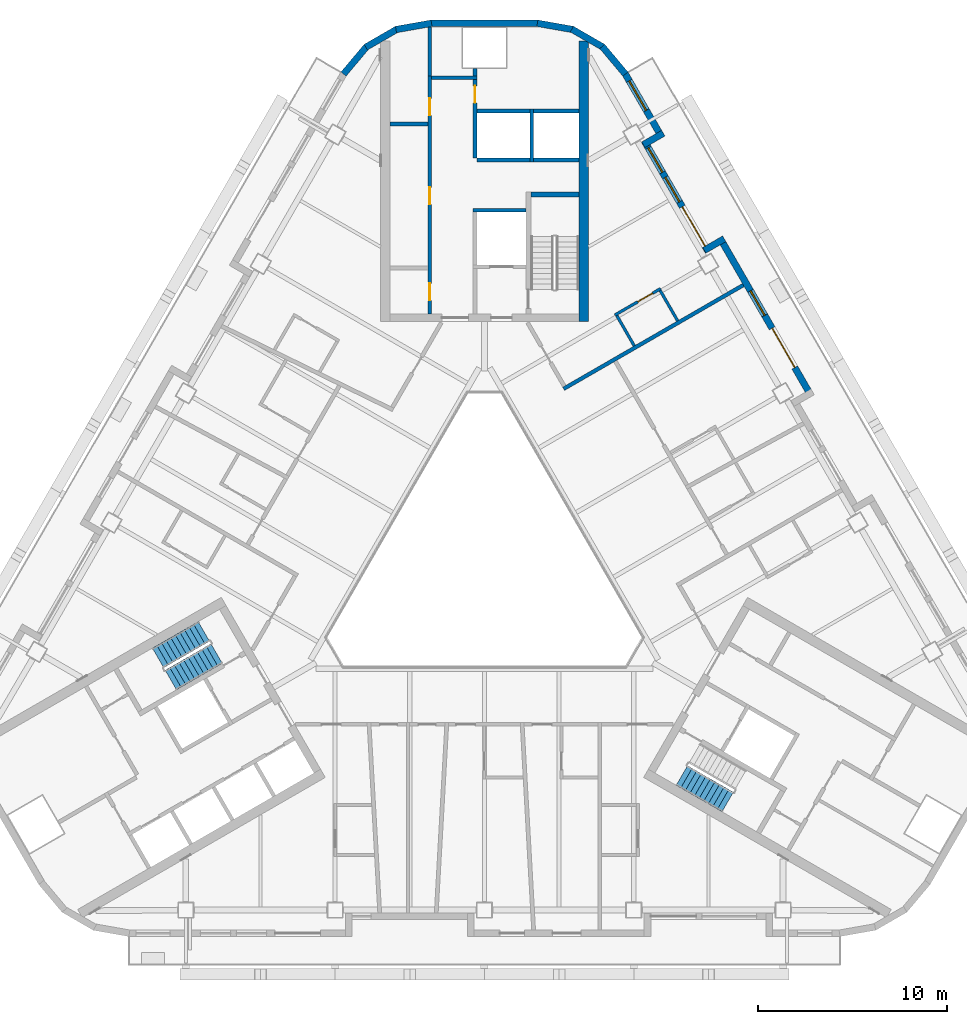
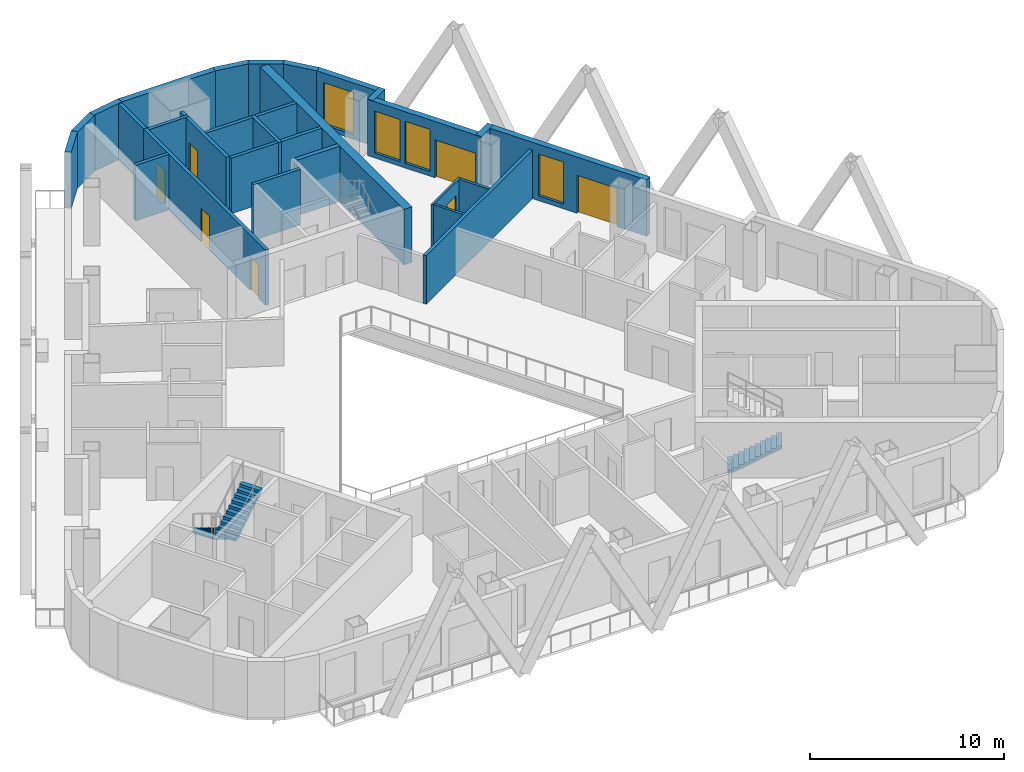
# One storey, part 10 of 17: 30 walls, 7 doors, 4 windows, 3 stair flights, 11 openings, 2 elements without a shape of their own.
"""IFC4 building model written with IfcOpenShell, lengths in metres."""

from ifc_helpers import new_model, si_unit, direction, frame, frame_2d, origin, place, context, subcontext, project, spatial, polyline, rectangle, outline, extrude, material, layer, layer_set, type_object, element, fill, aggregate, save


model = new_model("IFC4")

# Units and contexts
model_context = context("Model", 3, precision=1e-05, world=origin(), true_north=direction((0.0, 1.0)))
body_context = subcontext(model_context, "Body", "Model", "MODEL_VIEW")
ifc_project = project(units=[si_unit("LENGTHUNIT", "METRE"), si_unit("AREAUNIT", "SQUARE_METRE"), si_unit("VOLUMEUNIT", "CUBIC_METRE"), si_unit("PLANEANGLEUNIT", "RADIAN"), si_unit("MASSUNIT", "GRAM", prefix="KILO")], contexts=[model_context])

# Site, building, storey
site_placement = place(None, origin())
site = spatial("IfcSite", under=ifc_project, at=site_placement, CompositionType="ELEMENT")
building_placement = place(site_placement, origin())
building = spatial("IfcBuilding", under=site, at=building_placement, Name="Apuvela Tower Hotel", CompositionType="ELEMENT")
storey_placement = place(building_placement, frame((0.0, 0.0, 146.60009765625)))
storey = spatial("IfcBuildingStorey", under=building, at=storey_placement, Name="L34", CompositionType="ELEMENT", Elevation=146.60009765625)

# Walls
ifc_material_1 = material(Name="Concrete C50/60", Category="concrete")
ifc_layer_1 = layer(ifc_material_1, 0.5)
ifc_layer_set_1 = layer_set([ifc_layer_1], Name="COR-WALL-CORE-500")
wall_type_1 = type_object("IfcWallType", Name="COR-WALL-CORE-500", PredefinedType="SHEAR", material=ifc_layer_set_1)
wall_1_placement = place(storey_placement, frame((5.25, 12.89990234375, 0.0), z_axis=(0.0, 0.0, 1.0), x_axis=(0.0, 1.0, 0.0)))
element("IfcWall", 1, at=wall_1_placement, inside=storey, type_object=wall_type_1, Name="Core wall N", PredefinedType="SHEAR", context=body_context, shape_type="SweptSolid", body=[
    extrude(rectangle(XDim=14.8369140625, YDim=0.5, at=frame_2d((7.41845703125, 0.0))), origin(), (0.0, 0.0, 1.0), 3.5),
])
ifc_material_2 = material(Name="Blockwork 200 mm plastered", Category="masonry")
ifc_layer_2 = layer(ifc_material_2, 0.199951171875)
ifc_layer_set_2 = layer_set([ifc_layer_2], Name="COR-WALL-PART-200")
wall_type_2 = type_object("IfcWallType", Name="COR-WALL-PART-200", PredefinedType="PARTITIONING", material=ifc_layer_set_2)
wall_2_placement = place(storey_placement, frame((5.0, 21.449951171875, 0.0), z_axis=(0.0, 0.0, 1.0), x_axis=(-1.0, 0.0, 0.0)))
element("IfcWall", 2, at=wall_2_placement, inside=storey, type_object=wall_type_2, Name="Partition N", PredefinedType="PARTITIONING", context=body_context, shape_type="SweptSolid", body=[
    extrude(rectangle(XDim=2.39990234375, YDim=0.199951171875, at=frame_2d((1.199951171875, 0.0))), origin(), (0.0, 0.0, 1.0), 3.5),
])
wall_3_placement = place(storey_placement, frame((2.39990234375, 21.449951171875, 0.0), z_axis=(0.0, 0.0, 1.0), x_axis=(-1.0, 0.0, 0.0)))
element("IfcWall", 3, at=wall_3_placement, inside=storey, type_object=wall_type_2, Name="Partition N", PredefinedType="PARTITIONING", context=body_context, shape_type="SweptSolid", body=[
    extrude(rectangle(XDim=2.7998046875, YDim=0.199951171875, at=frame_2d((1.39990234375, 0.0))), origin(), (0.0, 0.0, 1.0), 3.5),
])
ifc_layer_3 = layer(ifc_material_1, 0.199951171875)
ifc_layer_set_3 = layer_set([ifc_layer_3], Name="COR-WALL-SHAFT-200")
wall_type_3 = type_object("IfcWallType", Name="COR-WALL-SHAFT-200", PredefinedType="SHEAR", material=ifc_layer_set_3)
wall_4_placement = place(storey_placement, frame((2.199951171875, 18.800048828125, 0.0), z_axis=(0.0, 0.0, 1.0), x_axis=(-1.0, 0.0, 0.0)))
element("IfcWall", 4, at=wall_4_placement, inside=storey, type_object=wall_type_3, Name="Shaft wall N", PredefinedType="SHEAR", context=body_context, shape_type="SweptSolid", body=[
    extrude(rectangle(XDim=2.800048828125, YDim=0.199951171875, at=frame_2d((1.39990234375, 0.0))), origin(), (0.0, 0.0, 1.0), 3.5),
])

# Wall, openings, doors
wall_5_placement = place(storey_placement, frame((-2.89990234375, 13.300048828125, 0.0), z_axis=(0.0, 0.0, 1.0), x_axis=(0.0, 1.0, 0.0)))
wall_5 = element("IfcWall", 5, at=wall_5_placement, inside=storey, type_object=wall_type_3, Name="Shaft wall N", PredefinedType="SHEAR", context=body_context, shape_type="SweptSolid", body=[
    extrude(rectangle(XDim=12.599853515625, YDim=0.199951171875, at=frame_2d((6.2998046875, 0.0))), origin(), (0.0, 0.0, 1.0), 3.5),
])
opening_1_placement = place(wall_5_placement, frame((0.719970703125, 0.0, 0.0)))
opening_1 = element("IfcOpeningElement", 6, at=opening_1_placement, cuts=wall_5, Name="Opening N-RE1", PredefinedType="OPENING", context=body_context, shape_type="SweptSolid", body=[
    extrude(rectangle(XDim=0.89990234375, YDim=2.10009765625, at=frame_2d((0.449951171875, 1.050048828125))), frame((0.0, 0.10986328125, 0.0), z_axis=(0.0, -1.0, 0.0), x_axis=(1.0, 0.0, 0.0)), (0.0, 0.0, 1.0), 0.219970703125),
])
opening_2_placement = place(wall_5_placement, frame((5.800048828125, 0.0, 0.0)))
opening_2 = element("IfcOpeningElement", 7, at=opening_2_placement, cuts=wall_5, Name="Opening N-RE2", PredefinedType="OPENING", context=body_context, shape_type="SweptSolid", body=[
    extrude(rectangle(XDim=0.89990234375, YDim=2.10009765625, at=frame_2d((0.449951171875, 1.050048828125))), frame((0.0, 0.10986328125, 0.0), z_axis=(0.0, -1.0, 0.0), x_axis=(1.0, 0.0, 0.0)), (0.0, 0.0, 1.0), 0.219970703125),
])
opening_3_placement = place(wall_5_placement, frame((10.510009765625, 0.0, 0.0)))
opening_3 = element("IfcOpeningElement", 8, at=opening_3_placement, cuts=wall_5, Name="Opening N-REP", PredefinedType="OPENING", context=body_context, shape_type="SweptSolid", body=[
    extrude(rectangle(XDim=0.89990234375, YDim=2.10009765625, at=frame_2d((0.449951171875, 1.050048828125))), frame((0.0, 0.10986328125, 0.0), z_axis=(0.0, -1.0, 0.0), x_axis=(1.0, 0.0, 0.0)), (0.0, 0.0, 1.0), 0.219970703125),
])
ifc_material_3 = material(Name="Steel fire door, powder coated", Category="steel")
door_type_1 = type_object("IfcDoorType", Name="COR-DR-900", OperationType="NOTDEFINED", PredefinedType="DOOR", material=ifc_material_3)
door_1_placement = place(opening_1_placement, origin())
door_1 = element("IfcDoor", 9, at=door_1_placement, inside=storey, type_object=door_type_1, Name="Store door N-RE1", OperationType="SINGLE_SWING_LEFT", OverallHeight=2.10009765625, OverallWidth=0.89990234375, PredefinedType="DOOR", context=body_context, shape_type="SweptSolid", body=[
    extrude(rectangle(XDim=0.89990234375, YDim=2.10009765625, at=frame_2d((0.449951171875, 1.050048828125))), frame((0.0, 0.02490234375, 0.0), z_axis=(0.0, -1.0, 0.0), x_axis=(1.0, 0.0, 0.0)), (0.0, 0.0, 1.0), 0.050048828125),
])
fill(opening_1, door_1)
door_2_placement = place(opening_2_placement, origin())
door_2 = element("IfcDoor", 10, at=door_2_placement, inside=storey, type_object=door_type_1, Name="Store door N-RE2", OperationType="SINGLE_SWING_RIGHT", OverallHeight=2.10009765625, OverallWidth=0.89990234375, PredefinedType="DOOR", context=body_context, shape_type="SweptSolid", body=[
    extrude(rectangle(XDim=0.89990234375, YDim=2.10009765625, at=frame_2d((0.449951171875, 1.050048828125))), frame((0.0, 0.02490234375, 0.0), z_axis=(0.0, -1.0, 0.0), x_axis=(1.0, 0.0, 0.0)), (0.0, 0.0, 1.0), 0.050048828125),
])
fill(opening_2, door_2)
door_3_placement = place(opening_3_placement, origin())
door_3 = element("IfcDoor", 11, at=door_3_placement, inside=storey, type_object=door_type_1, Name="Store door N-REP", OperationType="SINGLE_SWING_RIGHT", OverallHeight=2.10009765625, OverallWidth=0.89990234375, PredefinedType="DOOR", context=body_context, shape_type="SweptSolid", body=[
    extrude(rectangle(XDim=0.89990234375, YDim=2.10009765625, at=frame_2d((0.449951171875, 1.050048828125))), frame((0.0, 0.02490234375, 0.0), z_axis=(0.0, -1.0, 0.0), x_axis=(1.0, 0.0, 0.0)), (0.0, 0.0, 1.0), 0.050048828125),
])
fill(opening_3, door_3)

# Wall
wall_6_placement = place(storey_placement, frame((-0.39990234375, 25.800048828125, 0.0), z_axis=(0.0, 0.0, 1.0), x_axis=(-1.0, 0.0, 0.0)))
element("IfcWall", 12, at=wall_6_placement, inside=storey, type_object=wall_type_3, Name="Shaft wall N", PredefinedType="SHEAR", context=body_context, shape_type="SweptSolid", body=[
    extrude(rectangle(XDim=2.400146484375, YDim=0.199951171875, at=frame_2d((1.2001953125, 0.0))), origin(), (0.0, 0.0, 1.0), 3.5),
])

# Wall, opening, door
wall_7_placement = place(storey_placement, frame((-0.5, 21.550048828125, 0.0), z_axis=(0.0, 0.0, 1.0), x_axis=(0.0, 1.0, 0.0)))
wall_7 = element("IfcWall", 13, at=wall_7_placement, inside=storey, type_object=wall_type_3, Name="Shaft wall N", PredefinedType="SHEAR", context=body_context, shape_type="SweptSolid", body=[
    extrude(rectangle(XDim=4.14990234375, YDim=0.199951171875, at=frame_2d((2.074951171875, 0.0))), origin(), (0.0, 0.0, 1.0), 3.5),
])
opening_4_placement = place(wall_7_placement, frame((2.925048828125, 0.0, 0.0)))
opening_4 = element("IfcOpeningElement", 14, at=opening_4_placement, cuts=wall_7, Name="Opening N-RSP", PredefinedType="OPENING", context=body_context, shape_type="SweptSolid", body=[
    extrude(rectangle(XDim=0.89990234375, YDim=2.10009765625, at=frame_2d((0.449951171875, 1.050048828125))), frame((0.0, 0.10986328125, 0.0), z_axis=(0.0, -1.0, 0.0), x_axis=(1.0, 0.0, 0.0)), (0.0, 0.0, 1.0), 0.219970703125),
])
door_4_placement = place(opening_4_placement, frame((0.89990234375, 0.0, 0.0), z_axis=(0.0, 0.0, 1.0), x_axis=(-1.0, 0.0, 0.0)))
door_4 = element("IfcDoor", 15, at=door_4_placement, inside=storey, type_object=door_type_1, Name="Store door N-RSP", OperationType="SINGLE_SWING_LEFT", OverallHeight=2.10009765625, OverallWidth=0.89990234375, PredefinedType="DOOR", context=body_context, shape_type="SweptSolid", body=[
    extrude(rectangle(XDim=0.89990234375, YDim=2.10009765625, at=frame_2d((0.449951171875, 1.050048828125))), frame((0.0, 0.02490234375, 0.0), z_axis=(0.0, -1.0, 0.0), x_axis=(1.0, 0.0, 0.0)), (0.0, 0.0, 1.0), 0.050048828125),
])
fill(opening_4, door_4)

# Walls
wall_8_placement = place(storey_placement, frame((-3.0, 23.360107421875, 0.0), z_axis=(0.0, 0.0, 1.0), x_axis=(-1.0, 0.0, 0.0)))
element("IfcWall", 16, at=wall_8_placement, inside=storey, type_object=wall_type_3, Name="Shaft wall N", PredefinedType="SHEAR", context=body_context, shape_type="SweptSolid", body=[
    extrude(rectangle(XDim=2.0, YDim=0.199951171875, at=frame_2d((1.0, 0.0))), origin(), (0.0, 0.0, 1.0), 3.5),
])
wall_9_placement = place(storey_placement, frame((-0.5, 25.89990234375, 0.0), z_axis=(0.0, 0.0, 1.0), x_axis=(0.0, 1.0, 0.0)))
element("IfcWall", 17, at=wall_9_placement, inside=storey, type_object=wall_type_3, Name="Shaft wall N", PredefinedType="SHEAR", context=body_context, shape_type="SweptSolid", body=[
    extrude(rectangle(XDim=0.400146484375, YDim=0.199951171875, at=frame_2d((0.2001953125, 0.0))), origin(), (0.0, 0.0, 1.0), 3.5),
])
wall_10_placement = place(storey_placement, frame((-2.89990234375, 25.89990234375, 0.0), z_axis=(0.0, 0.0, 1.0), x_axis=(0.0, 1.0, 0.0)))
element("IfcWall", 18, at=wall_10_placement, inside=storey, type_object=wall_type_3, Name="Shaft wall N", PredefinedType="SHEAR", context=body_context, shape_type="SweptSolid", body=[
    extrude(rectangle(XDim=2.60009765625, YDim=0.199951171875, at=frame_2d((1.300048828125, 0.0))), origin(), (0.0, 0.0, 1.0), 3.5),
])
wall_11_placement = place(storey_placement, frame((2.5, 21.35009765625, 0.0), z_axis=(0.0, 0.0, 1.0), x_axis=(0.0, 1.0, 0.0)))
element("IfcWall", 19, at=wall_11_placement, inside=storey, type_object=wall_type_3, Name="Shaft wall N", PredefinedType="SHEAR", context=body_context, shape_type="SweptSolid", body=[
    extrude(rectangle(XDim=2.7998046875, YDim=0.199951171875, at=frame_2d((1.39990234375, 0.0))), origin(), (0.0, 0.0, 1.0), 3.5),
])
wall_12_placement = place(storey_placement, frame((5.0, 24.050048828125, 0.0), z_axis=(0.0, 0.0, 1.0), x_axis=(-1.0, 0.0, 0.0)))
element("IfcWall", 20, at=wall_12_placement, inside=storey, type_object=wall_type_3, Name="Shaft wall N", PredefinedType="SHEAR", context=body_context, shape_type="SweptSolid", body=[
    extrude(rectangle(XDim=2.39990234375, YDim=0.199951171875, at=frame_2d((1.199951171875, 0.0))), origin(), (0.0, 0.0, 1.0), 3.5),
])
wall_13_placement = place(storey_placement, frame((2.39990234375, 24.050048828125, 0.0), z_axis=(0.0, 0.0, 1.0), x_axis=(-1.0, 0.0, 0.0)))
element("IfcWall", 21, at=wall_13_placement, inside=storey, type_object=wall_type_3, Name="Shaft wall N", PredefinedType="SHEAR", context=body_context, shape_type="SweptSolid", body=[
    extrude(rectangle(XDim=2.7998046875, YDim=0.199951171875, at=frame_2d((1.39990234375, 0.0))), origin(), (0.0, 0.0, 1.0), 3.5),
])
ifc_layer_4 = layer(ifc_material_1, 0.25)
ifc_layer_set_4 = layer_set([ifc_layer_4], Name="COR-WALL-STAIR-250")
wall_type_4 = type_object("IfcWallType", Name="COR-WALL-STAIR-250", PredefinedType="SHEAR", material=ifc_layer_set_4)
wall_14_placement = place(storey_placement, frame((5.0, 19.625, 0.0), z_axis=(0.0, 0.0, 1.0), x_axis=(-1.0, 0.0, 0.0)))
element("IfcWall", 22, at=wall_14_placement, inside=storey, type_object=wall_type_4, Name="Stair wall N", PredefinedType="SHEAR", context=body_context, shape_type="SweptSolid", body=[
    extrude(rectangle(XDim=2.550048828125, YDim=0.25, at=frame_2d((1.27490234375, 0.0))), origin(), (0.0, 0.0, 1.0), 3.5),
])

# Wall, openings, door, window
ifc_material_4 = material(Name="Concrete C40/50, dark pigmented precast panel", Category="concrete")
ifc_layer_5 = layer(ifc_material_4, 0.35009765625)
ifc_layer_set_5 = layer_set([ifc_layer_5], Name="ENV-WALL-350")
wall_type_5 = type_object("IfcWallType", Name="ENV-WALL-350", PredefinedType="SOLIDWALL", material=ifc_layer_set_5)
wall_15_placement = place(storey_placement, frame((17.298583984375, 8.947998046875, 0.0), z_axis=(0.0, 0.0, 1.0), x_axis=(-0.500010041276, 0.866019606374, 0.0)))
wall_15 = element("IfcWall", 23, at=wall_15_placement, inside=storey, type_object=wall_type_5, Name="External wall L34-37", PredefinedType="SOLIDWALL", context=body_context, shape_type="SweptSolid", body=[
    extrude(rectangle(XDim=9.699951171875, YDim=0.35009765625, at=frame_2d((4.85009765625, 0.0))), origin(), (0.0, 0.0, 1.0), 3.5498046875),
])
opening_5_placement = place(wall_15_placement, frame((1.761962890625, 0.0, 0.0)))
opening_5 = element("IfcOpeningElement", 24, at=opening_5_placement, cuts=wall_15, Name="Opening BD24", PredefinedType="OPENING", context=body_context, shape_type="SweptSolid", body=[
    extrude(rectangle(XDim=2.39990234375, YDim=2.39990234375, at=frame_2d((1.199951171875, 1.199951171875))), frame((0.0, 0.18505859375, 0.0), z_axis=(0.0, -1.0, 0.0), x_axis=(1.0, 0.0, 0.0)), (0.0, 0.0, 1.0), 0.3701171875),
])
opening_6_placement = place(wall_15_placement, frame((4.94921875, 0.0, 0.300048828125)))
opening_6 = element("IfcOpeningElement", 25, at=opening_6_placement, cuts=wall_15, Name="Opening WN15", PredefinedType="OPENING", context=body_context, shape_type="SweptSolid", body=[
    extrude(rectangle(XDim=1.5, YDim=2.64990234375, at=frame_2d((0.75, 1.324951171875))), frame((0.0, 0.18505859375, 0.0), z_axis=(0.0, -1.0, 0.0), x_axis=(1.0, 0.0, 0.0)), (0.0, 0.0, 1.0), 0.3701171875),
])
ifc_material_5 = material(Name="Aluminium 6063-T6, dark bronze anodised frame with dark tinted laminated glass", Category="aluminium")
door_type_2 = type_object("IfcDoorType", Name="ENV-DOOR-BALCONY-2400x2400", OperationType="SLIDING_TO_LEFT", PredefinedType="DOOR", material=ifc_material_5)
door_5_placement = place(opening_5_placement, frame((2.39990234375, 0.0, 0.0), z_axis=(0.0, 0.0, 1.0), x_axis=(-1.0, 0.0, 0.0)))
door_5 = element("IfcDoor", 26, at=door_5_placement, inside=storey, type_object=door_type_2, Name="Balcony door BD24", OperationType="SLIDING_TO_LEFT", OverallHeight=2.39990234375, OverallWidth=2.39990234375, PredefinedType="DOOR", context=body_context, shape_type="SweptSolid", body=[
    extrude(rectangle(XDim=2.39990234375, YDim=2.39990234375, at=frame_2d((1.199951171875, 1.199951171875))), frame((0.0, 0.02490234375, 0.0), z_axis=(0.0, -1.0, 0.0), x_axis=(1.0, 0.0, 0.0)), (0.0, 0.0, 1.0), 0.050048828125),
])
fill(opening_5, door_5)
ifc_material_6 = material(Name="Glass, dark tinted laminated insulated glazing unit", Category="glass")
window_type_1 = type_object("IfcWindowType", Name="ENV-WIN-1500x2650", PartitioningType="SINGLE_PANEL", PredefinedType="WINDOW", material=ifc_material_6)
window_1_placement = place(opening_6_placement, origin())
window_1 = element("IfcWindow", 27, at=window_1_placement, inside=storey, type_object=window_type_1, Name="Window WN15", OverallHeight=2.64990234375, OverallWidth=1.5, PartitioningType="SINGLE_PANEL", PredefinedType="WINDOW", context=body_context, shape_type="SweptSolid", body=[
    extrude(rectangle(XDim=1.5, YDim=2.64990234375, at=frame_2d((0.75, 1.324951171875))), frame((0.0, 0.030029296875, 0.0), z_axis=(0.0, -1.0, 0.0), x_axis=(1.0, 0.0, 0.0)), (0.0, 0.0, 1.0), 0.06005859375),
])
fill(opening_6, window_1)

# Wall
wall_16_placement = place(storey_placement, frame((12.6875, 17.284423828125, 0.0), z_axis=(0.0, 0.0, 1.0), x_axis=(-0.865955602162, -0.500120880472, 0.0)))
element("IfcWall", 28, at=wall_16_placement, inside=storey, type_object=wall_type_5, Name="External wall L34-38", PredefinedType="SOLIDWALL", context=body_context, shape_type="SweptSolid", body=[
    extrude(rectangle(XDim=1.219970703125, YDim=0.35009765625, at=frame_2d((0.60986328125, 0.0))), origin(), (0.0, 0.0, 1.0), 3.5498046875),
])

# Wall, openings, door, windows
wall_17_placement = place(storey_placement, frame((11.8291015625, 16.621337890625, 0.0), z_axis=(0.0, 0.0, 1.0), x_axis=(-0.500003597184, 0.866023326939, 0.0)))
wall_17 = element("IfcWall", 29, at=wall_17_placement, inside=storey, type_object=wall_type_5, Name="External wall L34-39", PredefinedType="SOLIDWALL", context=body_context, shape_type="SweptSolid", body=[
    extrude(rectangle(XDim=6.740234375, YDim=0.35009765625, at=frame_2d((3.3701171875, 0.0))), origin(), (0.0, 0.0, 1.0), 3.5498046875),
])
opening_7_placement = place(wall_17_placement, frame((0.320068359375, 0.0, 0.0)))
opening_7 = element("IfcOpeningElement", 30, at=opening_7_placement, cuts=wall_17, Name="Opening BD24", PredefinedType="OPENING", context=body_context, shape_type="SweptSolid", body=[
    extrude(rectangle(XDim=2.39990234375, YDim=2.39990234375, at=frame_2d((1.199951171875, 1.199951171875))), frame((0.0, 0.18505859375, 0.0), z_axis=(0.0, -1.0, 0.0), x_axis=(1.0, 0.0, 0.0)), (0.0, 0.0, 1.0), 0.3701171875),
])
opening_8_placement = place(wall_17_placement, frame((3.02001953125, 0.0, 0.300048828125)))
opening_8 = element("IfcOpeningElement", 31, at=opening_8_placement, cuts=wall_17, Name="Opening WN15", PredefinedType="OPENING", context=body_context, shape_type="SweptSolid", body=[
    extrude(rectangle(XDim=1.5, YDim=2.64990234375, at=frame_2d((0.75, 1.324951171875))), frame((0.0, 0.18505859375, 0.0), z_axis=(0.0, -1.0, 0.0), x_axis=(1.0, 0.0, 0.0)), (0.0, 0.0, 1.0), 0.3701171875),
])
opening_9_placement = place(wall_17_placement, frame((4.820068359375, 0.0, 0.300048828125)))
opening_9 = element("IfcOpeningElement", 32, at=opening_9_placement, cuts=wall_17, Name="Opening WN15", PredefinedType="OPENING", context=body_context, shape_type="SweptSolid", body=[
    extrude(rectangle(XDim=1.5, YDim=2.64990234375, at=frame_2d((0.75, 1.324951171875))), frame((0.0, 0.18505859375, 0.0), z_axis=(0.0, -1.0, 0.0), x_axis=(1.0, 0.0, 0.0)), (0.0, 0.0, 1.0), 0.3701171875),
])
door_6_placement = place(opening_7_placement, frame((2.39990234375, 0.0, 0.0), z_axis=(0.0, 0.0, 1.0), x_axis=(-1.0, 0.0, 0.0)))
door_6 = element("IfcDoor", 33, at=door_6_placement, inside=storey, type_object=door_type_2, Name="Balcony door BD24", OperationType="SLIDING_TO_LEFT", OverallHeight=2.39990234375, OverallWidth=2.39990234375, PredefinedType="DOOR", context=body_context, shape_type="SweptSolid", body=[
    extrude(rectangle(XDim=2.39990234375, YDim=2.39990234375, at=frame_2d((1.199951171875, 1.199951171875))), frame((0.0, 0.02490234375, 0.0), z_axis=(0.0, -1.0, 0.0), x_axis=(1.0, 0.0, 0.0)), (0.0, 0.0, 1.0), 0.050048828125),
])
fill(opening_7, door_6)
window_2_placement = place(opening_8_placement, origin())
window_2 = element("IfcWindow", 34, at=window_2_placement, inside=storey, type_object=window_type_1, Name="Window WN15", OverallHeight=2.64990234375, OverallWidth=1.5, PartitioningType="SINGLE_PANEL", PredefinedType="WINDOW", context=body_context, shape_type="SweptSolid", body=[
    extrude(rectangle(XDim=1.5, YDim=2.64990234375, at=frame_2d((0.75, 1.324951171875))), frame((0.0, 0.030029296875, 0.0), z_axis=(0.0, -1.0, 0.0), x_axis=(1.0, 0.0, 0.0)), (0.0, 0.0, 1.0), 0.06005859375),
])
fill(opening_8, window_2)
window_3_placement = place(opening_9_placement, origin())
window_3 = element("IfcWindow", 35, at=window_3_placement, inside=storey, type_object=window_type_1, Name="Window WN15", OverallHeight=2.64990234375, OverallWidth=1.5, PartitioningType="SINGLE_PANEL", PredefinedType="WINDOW", context=body_context, shape_type="SweptSolid", body=[
    extrude(rectangle(XDim=1.5, YDim=2.64990234375, at=frame_2d((0.75, 1.324951171875))), frame((0.0, 0.030029296875, 0.0), z_axis=(0.0, -1.0, 0.0), x_axis=(1.0, 0.0, 0.0)), (0.0, 0.0, 1.0), 0.06005859375),
])
fill(opening_9, window_3)

# Wall
wall_18_placement = place(storey_placement, frame((8.406005859375, 22.26025390625, 0.0), z_axis=(0.0, 0.0, 1.0), x_axis=(0.865955602162, 0.500120880472, 0.0)))
element("IfcWall", 36, at=wall_18_placement, inside=storey, type_object=wall_type_5, Name="External wall L34-40", PredefinedType="SOLIDWALL", context=body_context, shape_type="SweptSolid", body=[
    extrude(rectangle(XDim=1.219970703125, YDim=0.35009765625, at=frame_2d((0.60986328125, 0.0))), origin(), (0.0, 0.0, 1.0), 3.5498046875),
])

# Wall, opening, window
wall_19_placement = place(storey_placement, frame((9.3984375, 22.631103515625, 0.0), z_axis=(0.0, 0.0, 1.0), x_axis=(-0.499954521343, 0.866051659307, 0.0)))
wall_19 = element("IfcWall", 37, at=wall_19_placement, inside=storey, type_object=wall_type_5, Name="External wall L34-41", PredefinedType="SOLIDWALL", context=body_context, shape_type="SweptSolid", body=[
    extrude(rectangle(XDim=3.915771484375, YDim=0.35009765625, at=frame_2d((1.9580078125, 0.0))), origin(), (0.0, 0.0, 1.0), 3.5498046875),
])
opening_10_placement = place(wall_19_placement, frame((1.67529296875, 0.0, 0.300048828125)))
opening_10 = element("IfcOpeningElement", 38, at=opening_10_placement, cuts=wall_19, Name="Opening WN18", PredefinedType="OPENING", context=body_context, shape_type="SweptSolid", body=[
    extrude(rectangle(XDim=1.800048828125, YDim=2.64990234375, at=frame_2d((0.89990234375, 1.324951171875))), frame((0.0, 0.18505859375, 0.0), z_axis=(0.0, -1.0, 0.0), x_axis=(1.0, 0.0, 0.0)), (0.0, 0.0, 1.0), 0.3701171875),
])
window_type_2 = type_object("IfcWindowType", Name="ENV-WIN-1800x2650", PartitioningType="SINGLE_PANEL", PredefinedType="WINDOW", material=ifc_material_6)
window_4_placement = place(opening_10_placement, origin())
window_4 = element("IfcWindow", 39, at=window_4_placement, inside=storey, type_object=window_type_2, Name="Window WN18", OverallHeight=2.64990234375, OverallWidth=1.800048828125, PartitioningType="SINGLE_PANEL", PredefinedType="WINDOW", context=body_context, shape_type="SweptSolid", body=[
    extrude(rectangle(XDim=1.800048828125, YDim=2.64990234375, at=frame_2d((0.89990234375, 1.324951171875))), frame((0.0, 0.030029296875, 0.0), z_axis=(0.0, -1.0, 0.0), x_axis=(1.0, 0.0, 0.0)), (0.0, 0.0, 1.0), 0.06005859375),
])
fill(opening_10, window_4)

# Walls
wall_20_placement = place(storey_placement, frame((7.4580078125, 25.99755859375, 0.0), z_axis=(0.0, 0.0, 1.0), x_axis=(-0.642808304945, 0.766027077259, 0.0)))
element("IfcWall", 40, at=wall_20_placement, inside=storey, type_object=wall_type_5, Name="External wall L34-42", PredefinedType="SOLIDWALL", context=body_context, shape_type="SweptSolid", body=[
    extrude(rectangle(XDim=1.909912109375, YDim=0.35009765625, at=frame_2d((0.955078125, 0.0))), origin(), (0.0, 0.0, 1.0), 3.5498046875),
])
for number, where, z_axis, x_axis, name in (
    (41, (6.27685546875, 27.421630859375, 0.0), (0.0, 0.0, 1.0), (-0.866032345022, 0.499987977232, 0.0), "External wall L34-43"),
    (42, (4.6796875, 28.35595703125, 0.0), (0.0, 0.0, 1.0), (-0.984798995425, 0.173697837091, 0.0), "External wall L34-44"),
):
    element("IfcWall", number, at=place(storey_placement, frame(where, z_axis=z_axis, x_axis=x_axis)), inside=storey, type_object=wall_type_5, Name=name, PredefinedType="SOLIDWALL", context=body_context, shape_type="SweptSolid", body=[
        extrude(rectangle(XDim=1.91015625, YDim=0.35009765625, at=frame_2d((0.955078125, 0.0))), origin(), (0.0, 0.0, 1.0), 3.5498046875),
    ])
wall_21_placement = place(storey_placement, frame((2.8291015625, 28.68505859375, 0.0), z_axis=(0.0, 0.0, 1.0), x_axis=(-1.0, 0.0, 0.0)))
element("IfcWall", 43, at=wall_21_placement, inside=storey, type_object=wall_type_5, Name="External wall L34-45", PredefinedType="SOLIDWALL", context=body_context, shape_type="SweptSolid", body=[
    extrude(rectangle(XDim=5.658203125, YDim=0.35009765625, at=frame_2d((2.8291015625, 0.0))), origin(), (0.0, 0.0, 1.0), 3.5498046875),
])
for number, where, z_axis, x_axis, name in (
    (44, (-2.798583984375, 28.687744140625, 0.0), (0.0, 0.0, 1.0), (-0.984798995425, -0.173697837091, 0.0), "External wall L34-46"),
    (45, (-4.62255859375, 28.376708984375, 0.0), (0.0, 0.0, 1.0), (-0.866032345022, -0.499987977232, 0.0), "External wall L34-47"),
):
    element("IfcWall", number, at=place(storey_placement, frame(where, z_axis=z_axis, x_axis=x_axis)), inside=storey, type_object=wall_type_5, Name=name, PredefinedType="SOLIDWALL", context=body_context, shape_type="SweptSolid", body=[
        extrude(rectangle(XDim=1.91015625, YDim=0.35009765625, at=frame_2d((0.955078125, 0.0))), origin(), (0.0, 0.0, 1.0), 3.5498046875),
    ])
wall_22_placement = place(storey_placement, frame((-6.230224609375, 27.460693359375, 0.0), z_axis=(0.0, 0.0, 1.0), x_axis=(-0.642808304945, -0.766027077259, 0.0)))
element("IfcWall", 46, at=wall_22_placement, inside=storey, type_object=wall_type_5, Name="External wall L34-48", PredefinedType="SOLIDWALL", context=body_context, shape_type="SweptSolid", body=[
    extrude(rectangle(XDim=1.909912109375, YDim=0.35009765625, at=frame_2d((0.955078125, 0.0))), origin(), (0.0, 0.0, 1.0), 3.5498046875),
])
ifc_material_7 = material(Name="Gypsum board partition on twin steel stud", Category="steel")
ifc_layer_6 = layer(ifc_material_7, 0.199951171875)
ifc_layer_set_6 = layer_set([ifc_layer_6], Name="GST-PW1")
wall_type_6 = type_object("IfcWallType", Name="GST-PW1", PredefinedType="PARTITIONING", material=ifc_layer_set_6)
wall_23_placement = place(storey_placement, frame((13.697021484375, 14.836181640625, 0.0), z_axis=(0.0, 0.0, 1.0), x_axis=(-0.866027479907, -0.499996404033, 0.0)))
element("IfcWall", 47, at=wall_23_placement, inside=storey, type_object=wall_type_6, Name="L34 partition 07", PredefinedType="PARTITIONING", context=body_context, shape_type="SweptSolid", body=[
    extrude(rectangle(XDim=10.97998046875, YDim=0.199951171875, at=frame_2d((5.489990234375, 0.0))), origin(), (0.0, 0.0, 1.0), 3.059814453125),
])

# Wall, opening, door
ifc_material_8 = material(Name="Moisture-resistant gypsum board wet wall on steel stud", Category="steel")
ifc_layer_7 = layer(ifc_material_8, 0.14990234375)
ifc_layer_set_7 = layer_set([ifc_layer_7], Name="GST-PW3")
wall_type_7 = type_object("IfcWallType", Name="GST-PW3", PredefinedType="PARTITIONING", material=ifc_layer_set_7)
wall_24_placement = place(storey_placement, frame((9.32421875, 14.64990234375, 0.0), z_axis=(0.0, 0.0, 1.0), x_axis=(-0.866034573852, -0.49998411664, 0.0)))
wall_24 = element("IfcWall", 48, at=wall_24_placement, inside=storey, type_object=wall_type_7, Name="L34 partition 39", PredefinedType="PARTITIONING", context=body_context, shape_type="SweptSolid", body=[
    extrude(rectangle(XDim=2.7998046875, YDim=0.14990234375, at=frame_2d((1.39990234375, 0.0))), origin(), (0.0, 0.0, 1.0), 2.949951171875),
])
opening_11_placement = place(wall_24_placement, frame((0.5, 0.0, 0.0)))
opening_11 = element("IfcOpeningElement", 49, at=opening_11_placement, cuts=wall_24, Name="Opening GD12-17", PredefinedType="OPENING", context=body_context, shape_type="SweptSolid", body=[
    extrude(rectangle(XDim=0.89990234375, YDim=2.10009765625, at=frame_2d((0.449951171875, 1.050048828125))), frame((0.0, 0.0849609375, 0.0), z_axis=(0.0, -1.0, 0.0), x_axis=(1.0, 0.0, 0.0)), (0.0, 0.0, 1.0), 0.169921875),
])
ifc_material_9 = material(Name="Timber door leaf in steel frame", Category="steel")
door_type_3 = type_object("IfcDoorType", Name="GST-D2", OperationType="NOTDEFINED", PredefinedType="DOOR", material=ifc_material_9)
door_7_placement = place(opening_11_placement, origin())
door_7 = element("IfcDoor", 50, at=door_7_placement, inside=storey, type_object=door_type_3, Name="Door L34-17", OperationType="SINGLE_SWING_LEFT", OverallHeight=2.10009765625, OverallWidth=0.89990234375, PredefinedType="DOOR", context=body_context, shape_type="SweptSolid", body=[
    extrude(rectangle(XDim=0.89990234375, YDim=2.10009765625, at=frame_2d((0.449951171875, 1.050048828125))), frame((0.0, 0.02490234375, 0.0), z_axis=(0.0, -1.0, 0.0), x_axis=(1.0, 0.0, 0.0)), (0.0, 0.0, 1.0), 0.050048828125),
])
fill(opening_11, door_7)

# Walls
for number, where, z_axis, x_axis, name in (
    (51, (10.2216796875, 12.9453125, 0.0), (0.0, 0.0, 1.0), (-0.49994333299, 0.866058118026, 0.0), "L34 partition 40"),
    (52, (7.927001953125, 11.620361328125, 0.0), (0.0, 0.0, 1.0), (-0.500042316284, 0.866000971088, 0.0), "L34 partition 41"),
):
    element("IfcWall", number, at=place(storey_placement, frame(where, z_axis=z_axis, x_axis=x_axis)), inside=storey, type_object=wall_type_7, Name=name, PredefinedType="PARTITIONING", context=body_context, shape_type="SweptSolid", body=[
        extrude(rectangle(XDim=1.849853515625, YDim=0.14990234375, at=frame_2d((0.9248046875, 0.0))), origin(), (0.0, 0.0, 1.0), 2.949951171875),
    ])

# Stair, stair flights
stair_type = type_object("IfcStairType", Name="COR-STAIR-22R", PredefinedType="HALF_TURN_STAIR", material=ifc_material_1)
stair_1_placement = place(storey_placement, origin())
stair_1 = element("IfcStair", 53, at=stair_1_placement, inside=storey, type_object=stair_type, Name="L34 Exit stair ST2", PredefinedType="HALF_TURN_STAIR")
stair_flight_type = type_object("IfcStairFlightType", Name="COR-FLIGHT-11R", PredefinedType="STRAIGHT", material=ifc_material_1)
stair_flight_1_placement = place(storey_placement, frame((-14.843994140625, -3.489501953125, 0.0), z_axis=(0.0, 0.0, 1.0), x_axis=(-0.866025403784, -0.5, 0.0)))
stair_flight_1 = element("IfcStairFlight", 54, at=stair_flight_1_placement, type_object=stair_flight_type, Name="ST2 flight 1", NumberOfRisers=11, NumberOfTreads=10, PredefinedType="STRAIGHT", RiserHeight=0.168181818, TreadLength=0.28, context=body_context, shape_type="SweptSolid", body=[
    extrude(outline(polyline([(0.0, 0.0), (0.0, 0.168212890625), (0.280029296875, 0.168212890625), (0.280029296875, 0.33642578125), (0.56005859375, 0.33642578125), (0.56005859375, 0.504638671875), (0.840087890625, 0.504638671875), (0.840087890625, 0.672607421875), (1.1201171875, 0.672607421875), (1.1201171875, 0.8408203125), (1.39990234375, 0.8408203125), (1.39990234375, 1.009033203125), (1.679931640625, 1.009033203125), (1.679931640625, 1.17724609375), (1.9599609375, 1.17724609375), (1.9599609375, 1.345458984375), (2.239990234375, 1.345458984375), (2.239990234375, 1.513671875), (2.52001953125, 1.513671875), (2.52001953125, 1.681884765625), (2.800048828125, 1.681884765625), (2.800048828125, 1.85009765625), (2.800048828125, 1.5068359375), (0.291015625, 0.0), (0.0, 0.0)])), frame((0.0, 0.60009765625, 0.0), z_axis=(0.0, -1.0, 0.0), x_axis=(1.0, 0.0, 0.0)), (0.0, 0.0, 1.0), 1.199951171875),
])
stair_flight_2_placement = place(storey_placement, frame((-16.59375, -6.05859375, 1.849853515625), z_axis=(0.0, 0.0, 1.0), x_axis=(0.866025403784, 0.5, 0.0)))
stair_flight_2 = element("IfcStairFlight", 55, at=stair_flight_2_placement, type_object=stair_flight_type, Name="ST2 flight 2", NumberOfRisers=11, NumberOfTreads=10, PredefinedType="STRAIGHT", RiserHeight=0.168181818, TreadLength=0.28, context=body_context, shape_type="SweptSolid", body=[
    extrude(outline(polyline([(0.0, 0.0), (0.0, 0.168212890625), (0.280029296875, 0.168212890625), (0.280029296875, 0.33642578125), (0.56005859375, 0.33642578125), (0.56005859375, 0.504638671875), (0.840087890625, 0.504638671875), (0.840087890625, 0.672607421875), (1.1201171875, 0.672607421875), (1.1201171875, 0.8408203125), (1.39990234375, 0.8408203125), (1.39990234375, 1.009033203125), (1.679931640625, 1.009033203125), (1.679931640625, 1.17724609375), (1.9599609375, 1.17724609375), (1.9599609375, 1.345458984375), (2.239990234375, 1.345458984375), (2.239990234375, 1.513671875), (2.52001953125, 1.513671875), (2.52001953125, 1.681884765625), (2.800048828125, 1.681884765625), (2.800048828125, 1.85009765625), (2.800048828125, 1.5068359375), (0.291015625, 0.0), (0.0, 0.0)])), frame((0.0, 0.60009765625, 0.0), z_axis=(0.0, -1.0, 0.0), x_axis=(1.0, 0.0, 0.0)), (0.0, 0.0, 1.0), 1.199951171875),
])
aggregate(stair_1, [stair_flight_1, stair_flight_2])

# Stair, stair flight
stair_2_placement = place(storey_placement, origin())
stair_2 = element("IfcStair", 56, at=stair_2_placement, inside=storey, type_object=stair_type, Name="L34 Exit stair ST3", PredefinedType="HALF_TURN_STAIR")
stair_flight_3_placement = place(storey_placement, frame((10.444091796875, -11.110595703125, 0.0), z_axis=(0.0, 0.0, 1.0), x_axis=(0.866025403784, -0.5, 0.0)))
stair_flight_3 = element("IfcStairFlight", 57, at=stair_flight_3_placement, type_object=stair_flight_type, Name="ST3 flight 1", NumberOfRisers=11, NumberOfTreads=10, PredefinedType="STRAIGHT", RiserHeight=0.168181818, TreadLength=0.28, context=body_context, shape_type="SweptSolid", body=[
    extrude(outline(polyline([(0.0, 0.0), (0.0, 0.168212890625), (0.280029296875, 0.168212890625), (0.280029296875, 0.33642578125), (0.56005859375, 0.33642578125), (0.56005859375, 0.504638671875), (0.840087890625, 0.504638671875), (0.840087890625, 0.672607421875), (1.1201171875, 0.672607421875), (1.1201171875, 0.8408203125), (1.39990234375, 0.8408203125), (1.39990234375, 1.009033203125), (1.679931640625, 1.009033203125), (1.679931640625, 1.17724609375), (1.9599609375, 1.17724609375), (1.9599609375, 1.345458984375), (2.239990234375, 1.345458984375), (2.239990234375, 1.513671875), (2.52001953125, 1.513671875), (2.52001953125, 1.681884765625), (2.800048828125, 1.681884765625), (2.800048828125, 1.85009765625), (2.800048828125, 1.5068359375), (0.291015625, 0.0), (0.0, 0.0)])), frame((0.0, 0.60009765625, 0.0), z_axis=(0.0, -1.0, 0.0), x_axis=(1.0, 0.0, 0.0)), (0.0, 0.0, 1.0), 1.199951171875),
])
aggregate(stair_2, [stair_flight_3])

save(model, "model.ifc")
